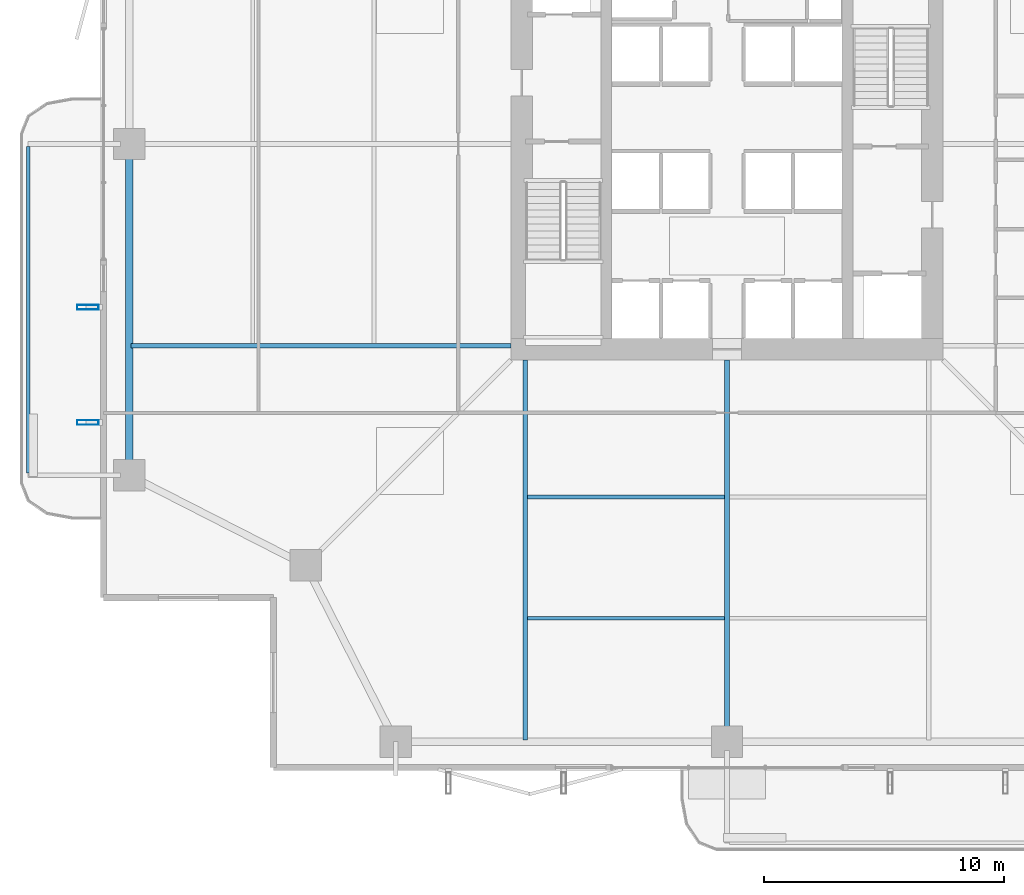
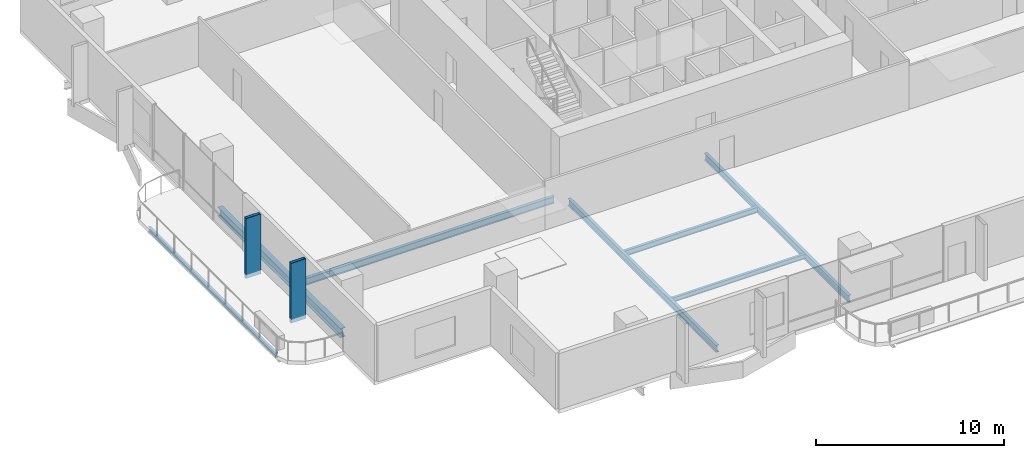
# One storey, part 3 of 24: 7 beams, 2 members.
"""IFC4 building model written with IfcOpenShell, lengths in metres."""

from ifc_helpers import new_model, si_unit, direction, frame, origin, origin_2d, place, context, subcontext, project, spatial, hollow_rectangle, i_section, extrude, material, material_profile, profile_set, type_object, element, save


model = new_model("IFC4")

# Units and contexts
model_context = context("Model", 3, precision=1e-05, world=origin(), true_north=direction((0.0, 1.0)))
body_context = subcontext(model_context, "Body", "Model", "MODEL_VIEW")
ifc_project = project(units=[si_unit("LENGTHUNIT", "METRE"), si_unit("AREAUNIT", "SQUARE_METRE"), si_unit("VOLUMEUNIT", "CUBIC_METRE"), si_unit("PLANEANGLEUNIT", "RADIAN"), si_unit("MASSUNIT", "GRAM", prefix="KILO")], contexts=[model_context])

# Site, building, storey
site_placement = place(None, origin())
site = spatial("IfcSite", under=ifc_project, at=site_placement, CompositionType="ELEMENT")
building_placement = place(site_placement, origin())
building = spatial("IfcBuilding", under=site, at=building_placement, Name="Belovzor Exchange Tower", CompositionType="ELEMENT")
storey_placement = place(building_placement, frame((0.0, 0.0, 129.0)))
storey = spatial("IfcBuildingStorey", under=building, at=storey_placement, Name="L31", CompositionType="ELEMENT", Elevation=129.0)

# Beams
ifc_material_1 = material(Name="Steel S355", Category="steel")
ifc_material_profile_1 = material_profile(ifc_material_1, i_section(OverallWidth=0.14990234375, OverallDepth=0.300048828125, WebThickness=0.007080078125, FlangeThickness=0.0107421875, at=origin_2d()))
ifc_profile_set_1 = profile_set([ifc_material_profile_1], Name="Steel S355")
beam_type_1 = type_object("IfcBeamType", Name="Planted Balcony Fascia Edge Beam IPE 300", PredefinedType="BEAM", material=ifc_profile_set_1)
beam_1_placement = place(storey_placement, frame((-0.30810546875, 28.699951171875, -0.39990234375), z_axis=(0.0, -1.0, 0.0), x_axis=(1.0, 0.0, 0.0)))
element("IfcBeam", 1, at=beam_1_placement, inside=storey, type_object=beam_type_1, Name="BC-300 Planted Balcony Fascia Edge Beam IPE 300", PredefinedType="BEAM", context=body_context, shape_type="SweptSolid", body=[
    extrude(i_section(OverallWidth=0.14990234375, OverallDepth=0.300048828125, WebThickness=0.007080078125, FlangeThickness=0.0107421875, at=origin_2d()), origin(), (0.0, 0.0, 1.0), 13.599853515625),
])
ifc_material_2 = material(Name="Steel S355", Category="steel")
ifc_material_profile_2 = material_profile(ifc_material_2, i_section(OverallWidth=0.169921875, OverallDepth=0.360107421875, WebThickness=0.008056640625, FlangeThickness=0.0126953125, at=origin_2d()))
ifc_profile_set_2 = profile_set([ifc_material_profile_2], Name="Steel S355")
beam_type_2 = type_object("IfcBeamType", Name="Secondary Infill Floor Joist IPE 360", PredefinedType="BEAM", material=ifc_profile_set_2)
beam_2_placement = place(storey_placement, frame((20.4951171875, 14.10302734375, -0.429931640625), z_axis=(1.0, 0.0, 0.0), x_axis=(0.0, 1.0, 0.0)))
element("IfcBeam", 2, at=beam_2_placement, inside=storey, type_object=beam_type_2, Name="FJ-360 Secondary Infill Floor Joist IPE 360", PredefinedType="BEAM", context=body_context, shape_type="SweptSolid", body=[
    extrude(i_section(OverallWidth=0.169921875, OverallDepth=0.360107421875, WebThickness=0.008056640625, FlangeThickness=0.0126953125, at=origin_2d()), origin(), (0.0, 0.0, 1.0), 8.2099609375),
])
ifc_material_3 = material(Name="Steel S355", Category="steel")
ifc_material_profile_3 = material_profile(ifc_material_3, i_section(OverallWidth=0.14990234375, OverallDepth=0.300048828125, WebThickness=0.007080078125, FlangeThickness=0.0107421875, at=origin_2d()))
ifc_profile_set_3 = profile_set([ifc_material_profile_3], Name="Steel S355")
beam_type_3 = type_object("IfcBeamType", Name="Secondary Trim Floor Joist IPE 300", PredefinedType="BEAM", material=ifc_profile_set_3)
beam_3_placement = place(storey_placement, frame((20.4951171875, 9.0390625, -0.39990234375), z_axis=(1.0, 0.0, 0.0), x_axis=(0.0, 1.0, 0.0)))
element("IfcBeam", 3, at=beam_3_placement, inside=storey, type_object=beam_type_3, Name="FJ-300 Secondary Trim Floor Joist IPE 300", PredefinedType="BEAM", context=body_context, shape_type="SweptSolid", body=[
    extrude(i_section(OverallWidth=0.14990234375, OverallDepth=0.300048828125, WebThickness=0.007080078125, FlangeThickness=0.0107421875, at=origin_2d()), origin(), (0.0, 0.0, 1.0), 8.2099609375),
])

# Members
ifc_material_4 = material(Name="Extruded Architectural Terracotta on Steel S355 Carrier", Category="masonry")
ifc_material_profile_4 = material_profile(ifc_material_4, hollow_rectangle(XDim=0.199951171875, YDim=0.89990234375, WallThickness=0.011962890625, at=origin_2d()))
ifc_profile_set_4 = profile_set([ifc_material_profile_4], Name="Extruded Architectural Terracotta on Steel S355 Carrier")
member_type = type_object("IfcMemberType", Name="Sweeping Terracotta Baguette Fin Assembly 1250", PredefinedType="USERDEFINED", material=ifc_profile_set_4)
for number, where, z_axis, x_axis, name in (
    (4, (2.175048828125, 17.199951171875, -0.25), (0.0, 0.0, 1.0), (0.0, 1.0, 0.0), "FIN-TC125 Terracotta Facade Fin L31 W1"),
    (5, (2.175048828125, 22.0, -0.25), (0.0, 0.0, 1.0), (0.0, 1.0, 0.0), "FIN-TC125 Terracotta Facade Fin L31 W2"),
):
    element("IfcMember", number, at=place(storey_placement, frame(where, z_axis=z_axis, x_axis=x_axis)), inside=storey, type_object=member_type, Name=name, ObjectType="FIN", PredefinedType="USERDEFINED", context=body_context, shape_type="SweptSolid", body=[
        extrude(hollow_rectangle(XDim=0.199951171875, YDim=0.89990234375, WallThickness=0.011962890625, at=origin_2d()), origin(), (0.0, 0.0, 1.0), 3.89990234375),
    ])

# Beams
ifc_material_5 = material(Name="Steel S355", Category="steel")
ifc_material_profile_5 = material_profile(ifc_material_5, i_section(OverallWidth=0.300048828125, OverallDepth=0.60009765625, WebThickness=0.015380859375, FlangeThickness=0.030029296875, at=origin_2d()))
ifc_profile_set_5 = profile_set([ifc_material_profile_5], Name="Steel S355")
beam_type_4 = type_object("IfcBeamType", Name="Zone 2 Primary Perimeter Girder HEB 600", PredefinedType="BEAM", material=ifc_profile_set_5)
beam_4_placement = place(storey_placement, frame((3.89990234375, 28.44189453125, -0.550048828125), z_axis=(0.0, -1.0, 0.0), x_axis=(1.0, 0.0, 0.0)))
element("IfcBeam", 6, at=beam_4_placement, inside=storey, type_object=beam_type_4, Name="FG-Z2 Zone 2 Primary Perimeter Girder HEB 600", PredefinedType="BEAM", context=body_context, shape_type="SweptSolid", body=[
    extrude(i_section(OverallWidth=0.300048828125, OverallDepth=0.60009765625, WebThickness=0.015380859375, FlangeThickness=0.030029296875, at=origin_2d()), origin(), (0.0, 0.0, 1.0), 13.0849609375),
])
ifc_material_6 = material(Name="Steel S355", Category="steel")
ifc_material_profile_6 = material_profile(ifc_material_6, i_section(OverallWidth=0.18994140625, OverallDepth=0.449951171875, WebThickness=0.009521484375, FlangeThickness=0.0146484375, at=origin_2d()))
ifc_profile_set_6 = profile_set([ifc_material_profile_6], Name="Steel S355")
beam_type_5 = type_object("IfcBeamType", Name="Zone 2-4 Radial Composite Floor Beam IPE 450", PredefinedType="BEAM", material=ifc_profile_set_6)
beam_5_placement = place(storey_placement, frame((20.39990234375, 19.800048828125, -0.47509765625), z_axis=(0.0, -1.0, 0.0), x_axis=(1.0, 0.0, 0.0)))
element("IfcBeam", 7, at=beam_5_placement, inside=storey, type_object=beam_type_5, Name="FB-450 Zone 2-4 Radial Composite Floor Beam IPE 450", PredefinedType="BEAM", context=body_context, shape_type="SweptSolid", body=[
    extrude(i_section(OverallWidth=0.18994140625, OverallDepth=0.449951171875, WebThickness=0.009521484375, FlangeThickness=0.0146484375, at=origin_2d()), origin(), (0.0, 0.0, 1.0), 15.824951171875),
])
beam_6_placement = place(storey_placement, frame((28.800048828125, 19.800048828125, -0.47509765625), z_axis=(0.0, -1.0, 0.0), x_axis=(1.0, 0.0, 0.0)))
element("IfcBeam", 8, at=beam_6_placement, inside=storey, type_object=beam_type_5, Name="FB-450 Zone 2-4 Radial Composite Floor Beam IPE 450", PredefinedType="BEAM", context=body_context, shape_type="SweptSolid", body=[
    extrude(i_section(OverallWidth=0.18994140625, OverallDepth=0.449951171875, WebThickness=0.009521484375, FlangeThickness=0.0146484375, at=origin_2d()), origin(), (0.0, 0.0, 1.0), 15.328125),
])
beam_7_placement = place(storey_placement, frame((19.800048828125, 20.39990234375, -0.47509765625), z_axis=(-1.0, 0.0, 0.0), x_axis=(0.0, -1.0, 0.0)))
element("IfcBeam", 9, at=beam_7_placement, inside=storey, type_object=beam_type_5, Name="FB-450 Zone 2-4 Radial Composite Floor Beam IPE 450", PredefinedType="BEAM", context=body_context, shape_type="SweptSolid", body=[
    extrude(i_section(OverallWidth=0.18994140625, OverallDepth=0.449951171875, WebThickness=0.009521484375, FlangeThickness=0.0146484375, at=origin_2d()), origin(), (0.0, 0.0, 1.0), 15.824951171875),
])

save(model, "model.ifc")
